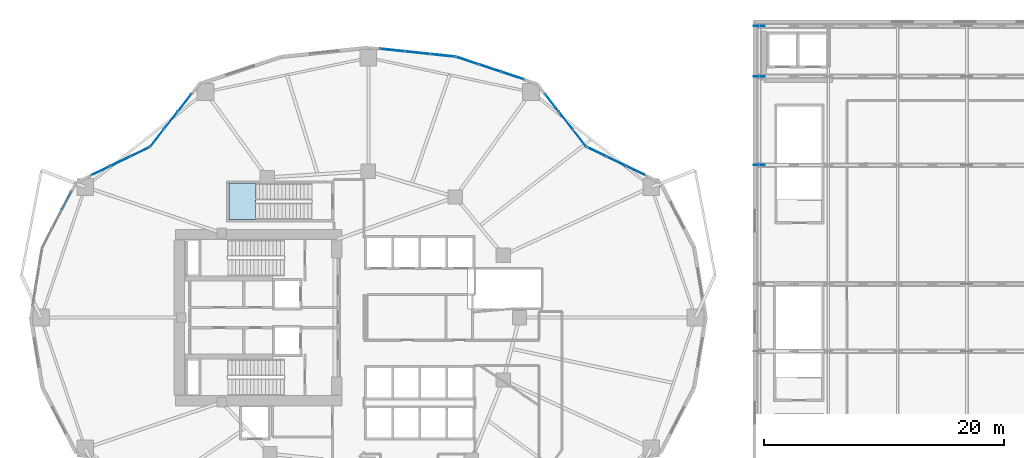
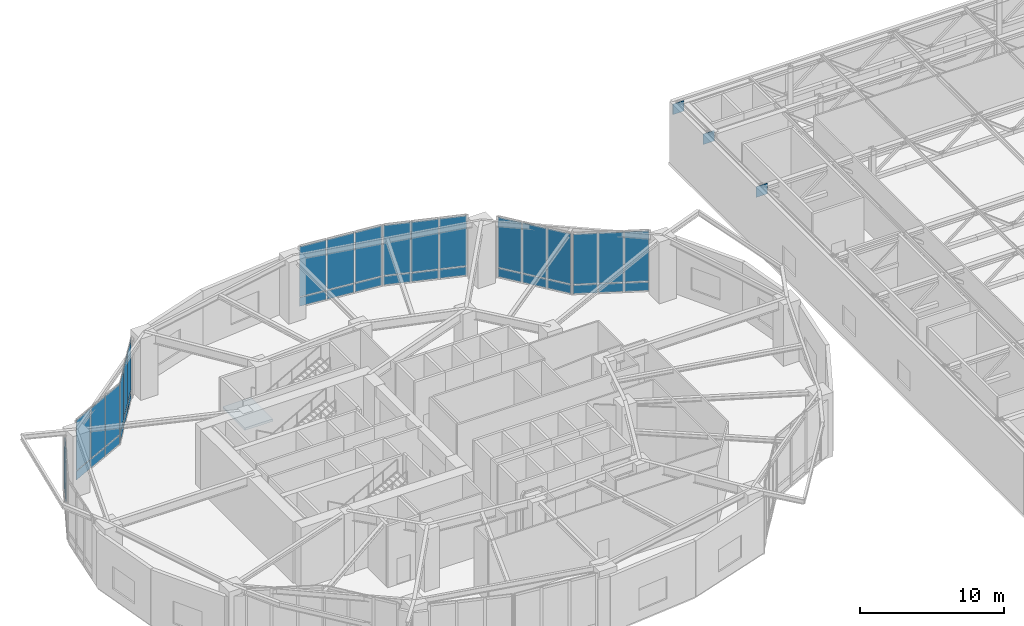
# One storey, part 15 of 29: 40 plates, 1 slab, 8 elements without a shape of their own.
"""IFC4 building model written with IfcOpenShell, lengths in metres."""

from ifc_helpers import new_model, si_unit, direction, frame, origin, origin_2d, place, context, subcontext, project, spatial, polyline, rectangle, outline, extrude, material, layer, layer_set, type_object, element, aggregate, save


model = new_model("IFC4")

# Units and contexts
model_context = context("Model", 3, precision=1e-05, world=origin(), true_north=direction((0.0, 1.0)))
body_context = subcontext(model_context, "Body", "Model", "MODEL_VIEW")
ifc_project = project(units=[si_unit("LENGTHUNIT", "METRE"), si_unit("AREAUNIT", "SQUARE_METRE"), si_unit("VOLUMEUNIT", "CUBIC_METRE"), si_unit("PLANEANGLEUNIT", "RADIAN"), si_unit("MASSUNIT", "GRAM", prefix="KILO")], contexts=[model_context])

# Site, building, storey
site_placement = place(None, origin())
site = spatial("IfcSite", under=ifc_project, at=site_placement, CompositionType="ELEMENT")
building_placement = place(site_placement, origin())
building = spatial("IfcBuilding", under=site, at=building_placement, Name="Kolvaren Gate Tower and Convention Centre", CompositionType="ELEMENT")
storey_placement = place(building_placement, frame((0.0, 0.0, 21.0)))
storey = spatial("IfcBuildingStorey", under=building, at=storey_placement, Name="L04", CompositionType="ELEMENT", Elevation=21.0)

# Curtain wall, plates
ifc_material_1 = material(Name="Anodized Architectural Aluminium Alloy 6063-T6", Category="aluminium")
ifc_layer_1 = layer(ifc_material_1, 0.179931640625)
ifc_layer_set_1 = layer_set([ifc_layer_1], Name="Anodized Architectural Aluminium Alloy 6063-T6")
curtain_wall_type = type_object("IfcCurtainWallType", Name="CW-POD-GLZ", PredefinedType="NOTDEFINED", material=ifc_layer_set_1)
curtain_wall_1_placement = place(storey_placement, origin())
curtain_wall_1 = element("IfcCurtainWall", 1, at=curtain_wall_1_placement, inside=storey, type_object=curtain_wall_type, Name="Tower L04 Unitised Curtain Wall CW-POD-GLZ Bay 02", PredefinedType="NOTDEFINED")
ifc_material_2 = material(Name="Low-E Triple Insulated Glazing Unit 44 mm", Category="glass")
ifc_layer_2 = layer(ifc_material_2, 0.0439453125)
ifc_layer_set_2 = layer_set([ifc_layer_2], Name="Low-E Triple Insulated Glazing Unit 44 mm")
plate_type_1 = type_object("IfcPlateType", Name="CW-PL-IGU-44", PredefinedType="CURTAIN_PANEL", material=ifc_layer_set_2)
plate_1_placement = place(storey_placement, frame((49.15234375, 40.810546875, 0.8876953125), z_axis=(0.0, 0.0, 1.0), x_axis=(0.90136380435, -0.433062688542, 0.0)))
plate_1 = element("IfcPlate", 2, at=plate_1_placement, type_object=plate_type_1, Name="CW-01 panel 1.2", PredefinedType="CURTAIN_PANEL", context=body_context, shape_type="SweptSolid", body=[
    extrude(rectangle(XDim=1.70751953125, YDim=0.0439453125, at=origin_2d()), origin(), (0.0, 0.0, 1.0), 4.257568359375),
])
plate_2_placement = place(storey_placement, frame((50.77587890625, 40.030517578125, 0.8876953125), z_axis=(0.0, 0.0, 1.0), x_axis=(0.90136380435, -0.433062688542, 0.0)))
plate_2 = element("IfcPlate", 3, at=plate_2_placement, type_object=plate_type_1, Name="CW-01 panel 2.2", PredefinedType="CURTAIN_PANEL", context=body_context, shape_type="SweptSolid", body=[
    extrude(rectangle(XDim=1.744873046875, YDim=0.0439453125, at=origin_2d()), origin(), (0.0, 0.0, 1.0), 4.257568359375),
])
plate_3_placement = place(storey_placement, frame((52.399658203125, 39.25048828125, 0.8876953125), z_axis=(0.0, 0.0, 1.0), x_axis=(0.90136380435, -0.433062688542, 0.0)))
plate_3 = element("IfcPlate", 4, at=plate_3_placement, type_object=plate_type_1, Name="CW-01 panel 3.2", PredefinedType="CURTAIN_PANEL", context=body_context, shape_type="SweptSolid", body=[
    extrude(rectangle(XDim=1.70751953125, YDim=0.0439453125, at=origin_2d()), origin(), (0.0, 0.0, 1.0), 4.257568359375),
])

curtain_wall_2_placement = place(storey_placement, origin())
curtain_wall_2 = element("IfcCurtainWall", 5, at=curtain_wall_2_placement, inside=storey, type_object=curtain_wall_type, Name="Tower L04 Unitised Curtain Wall CW-POD-GLZ Bay 03", PredefinedType="NOTDEFINED")
plate_4_placement = place(storey_placement, frame((45.439697265625, 44.885986328125, 0.8876953125), z_axis=(0.0, 0.0, 1.0), x_axis=(0.616425794643, -0.787413004527, 0.0)))
plate_4 = element("IfcPlate", 6, at=plate_4_placement, type_object=plate_type_1, Name="CW-01 panel 1.2", PredefinedType="CURTAIN_PANEL", context=body_context, shape_type="SweptSolid", body=[
    extrude(rectangle(XDim=1.760986328125, YDim=0.0439453125, at=origin_2d()), origin(), (0.0, 0.0, 1.0), 4.257568359375),
])
plate_5_placement = place(storey_placement, frame((46.5830078125, 43.425537109375, 0.8876953125), z_axis=(0.0, 0.0, 1.0), x_axis=(0.616425794643, -0.787413004527, 0.0)))
plate_5 = element("IfcPlate", 7, at=plate_5_placement, type_object=plate_type_1, Name="CW-01 panel 2.2", PredefinedType="CURTAIN_PANEL", context=body_context, shape_type="SweptSolid", body=[
    extrude(rectangle(XDim=1.79833984375, YDim=0.0439453125, at=origin_2d()), origin(), (0.0, 0.0, 1.0), 4.257568359375),
])
plate_6_placement = place(storey_placement, frame((47.726318359375, 41.965087890625, 0.8876953125), z_axis=(0.0, 0.0, 1.0), x_axis=(0.616425794643, -0.787413004527, 0.0)))
plate_6 = element("IfcPlate", 8, at=plate_6_placement, type_object=plate_type_1, Name="CW-01 panel 3.2", PredefinedType="CURTAIN_PANEL", context=body_context, shape_type="SweptSolid", body=[
    extrude(rectangle(XDim=1.760986328125, YDim=0.0439453125, at=origin_2d()), origin(), (0.0, 0.0, 1.0), 4.257568359375),
])

curtain_wall_3_placement = place(storey_placement, origin())
curtain_wall_3 = element("IfcCurtainWall", 9, at=curtain_wall_3_placement, inside=storey, type_object=curtain_wall_type, Name="Tower L04 Unitised Curtain Wall CW-POD-GLZ Bay 04", PredefinedType="NOTDEFINED")
plate_7_placement = place(storey_placement, frame((38.37939453125, 48.41015625, 0.8876953125), z_axis=(0.0, 0.0, 1.0), x_axis=(0.949243688479, -0.314541602786, 0.0)))
plate_7 = element("IfcPlate", 10, at=plate_7_placement, type_object=plate_type_1, Name="CW-01 panel 1.2", PredefinedType="CURTAIN_PANEL", context=body_context, shape_type="SweptSolid", body=[
    extrude(rectangle(XDim=1.904541015625, YDim=0.0439453125, at=origin_2d()), origin(), (0.0, 0.0, 1.0), 4.257568359375),
])
plate_8_placement = place(storey_placement, frame((40.2763671875, 47.78173828125, 0.8876953125), z_axis=(0.0, 0.0, 1.0), x_axis=(0.949243688479, -0.314541602786, 0.0)))
plate_8 = element("IfcPlate", 11, at=plate_8_placement, type_object=plate_type_1, Name="CW-01 panel 2.2", PredefinedType="CURTAIN_PANEL", context=body_context, shape_type="SweptSolid", body=[
    extrude(rectangle(XDim=1.94189453125, YDim=0.0439453125, at=origin_2d()), origin(), (0.0, 0.0, 1.0), 4.257568359375),
])
plate_9_placement = place(storey_placement, frame((42.173095703125, 47.153076171875, 0.8876953125), z_axis=(0.0, 0.0, 1.0), x_axis=(0.949243688479, -0.314541602786, 0.0)))
plate_9 = element("IfcPlate", 12, at=plate_9_placement, type_object=plate_type_1, Name="CW-01 panel 3.2", PredefinedType="CURTAIN_PANEL", context=body_context, shape_type="SweptSolid", body=[
    extrude(rectangle(XDim=1.904541015625, YDim=0.0439453125, at=origin_2d()), origin(), (0.0, 0.0, 1.0), 4.257568359375),
])

curtain_wall_4_placement = place(storey_placement, origin())
curtain_wall_4 = element("IfcCurtainWall", 13, at=curtain_wall_4_placement, inside=storey, type_object=curtain_wall_type, Name="Tower L04 Unitised Curtain Wall CW-POD-GLZ Bay 05", PredefinedType="NOTDEFINED")
plate_10_placement = place(storey_placement, frame((32.126708984375, 49.2890625, 0.8876953125), z_axis=(0.0, 0.0, 1.0), x_axis=(0.994498762941, -0.104748319841, 0.0)))
plate_10 = element("IfcPlate", 14, at=plate_10_placement, type_object=plate_type_1, Name="CW-01 panel 1.2", PredefinedType="CURTAIN_PANEL", context=body_context, shape_type="SweptSolid", body=[
    extrude(rectangle(XDim=2.017578125, YDim=0.0439453125, at=origin_2d()), origin(), (0.0, 0.0, 1.0), 4.257568359375),
])
plate_11_placement = place(storey_placement, frame((34.2265625, 49.068115234375, 0.8876953125), z_axis=(0.0, 0.0, 1.0), x_axis=(0.994498762941, -0.104748319841, 0.0)))
plate_11 = element("IfcPlate", 15, at=plate_11_placement, type_object=plate_type_1, Name="CW-01 panel 2.2", PredefinedType="CURTAIN_PANEL", context=body_context, shape_type="SweptSolid", body=[
    extrude(rectangle(XDim=2.05517578125, YDim=0.0439453125, at=origin_2d()), origin(), (0.0, 0.0, 1.0), 4.257568359375),
])
plate_12_placement = place(storey_placement, frame((36.326416015625, 48.846923828125, 0.8876953125), z_axis=(0.0, 0.0, 1.0), x_axis=(0.994498762941, -0.104748319841, 0.0)))
plate_12 = element("IfcPlate", 16, at=plate_12_placement, type_object=plate_type_1, Name="CW-01 panel 3.2", PredefinedType="CURTAIN_PANEL", context=body_context, shape_type="SweptSolid", body=[
    extrude(rectangle(XDim=2.017578125, YDim=0.0439453125, at=origin_2d()), origin(), (0.0, 0.0, 1.0), 4.257568359375),
])

curtain_wall_5_placement = place(storey_placement, origin())
curtain_wall_5 = element("IfcCurtainWall", 17, at=curtain_wall_5_placement, inside=storey, type_object=curtain_wall_type, Name="Tower L04 Unitised Curtain Wall CW-POD-GLZ Bay 08", PredefinedType="NOTDEFINED")
plate_13_placement = place(storey_placement, frame((12.523681640625, 41.965087890625, 0.8876953125), z_axis=(0.0, 0.0, 1.0), x_axis=(0.616421003276, 0.787416755422, 0.0)))
plate_13 = element("IfcPlate", 18, at=plate_13_placement, type_object=plate_type_1, Name="CW-01 panel 1.2", PredefinedType="CURTAIN_PANEL", context=body_context, shape_type="SweptSolid", body=[
    extrude(rectangle(XDim=1.7607421875, YDim=0.0439453125, at=origin_2d()), origin(), (0.0, 0.0, 1.0), 4.257568359375),
])
plate_14_placement = place(storey_placement, frame((13.666748046875, 43.425537109375, 0.8876953125), z_axis=(0.0, 0.0, 1.0), x_axis=(0.616421003276, 0.787416755422, 0.0)))
plate_14 = element("IfcPlate", 19, at=plate_14_placement, type_object=plate_type_1, Name="CW-01 panel 2.2", PredefinedType="CURTAIN_PANEL", context=body_context, shape_type="SweptSolid", body=[
    extrude(rectangle(XDim=1.79833984375, YDim=0.0439453125, at=origin_2d()), origin(), (0.0, 0.0, 1.0), 4.257568359375),
])
plate_15_placement = place(storey_placement, frame((14.81005859375, 44.8857421875, 0.8876953125), z_axis=(0.0, 0.0, 1.0), x_axis=(0.616421003276, 0.787416755422, 0.0)))
plate_15 = element("IfcPlate", 20, at=plate_15_placement, type_object=plate_type_1, Name="CW-01 panel 3.2", PredefinedType="CURTAIN_PANEL", context=body_context, shape_type="SweptSolid", body=[
    extrude(rectangle(XDim=1.7607421875, YDim=0.0439453125, at=origin_2d()), origin(), (0.0, 0.0, 1.0), 4.257568359375),
])

curtain_wall_6_placement = place(storey_placement, origin())
curtain_wall_6 = element("IfcCurtainWall", 21, at=curtain_wall_6_placement, inside=storey, type_object=curtain_wall_type, Name="Tower L04 Unitised Curtain Wall CW-POD-GLZ Bay 09", PredefinedType="NOTDEFINED")
plate_16_placement = place(storey_placement, frame((7.85009765625, 39.250244140625, 0.8876953125), z_axis=(0.0, 0.0, 1.0), x_axis=(0.901366679942, 0.433056703319, 0.0)))
plate_16 = element("IfcPlate", 22, at=plate_16_placement, type_object=plate_type_1, Name="CW-01 panel 1.2", PredefinedType="CURTAIN_PANEL", context=body_context, shape_type="SweptSolid", body=[
    extrude(rectangle(XDim=1.707763671875, YDim=0.0439453125, at=origin_2d()), origin(), (0.0, 0.0, 1.0), 4.257568359375),
])
plate_17_placement = place(storey_placement, frame((9.4736328125, 40.030517578125, 0.8876953125), z_axis=(0.0, 0.0, 1.0), x_axis=(0.901366679942, 0.433056703319, 0.0)))
plate_17 = element("IfcPlate", 23, at=plate_17_placement, type_object=plate_type_1, Name="CW-01 panel 2.2", PredefinedType="CURTAIN_PANEL", context=body_context, shape_type="SweptSolid", body=[
    extrude(rectangle(XDim=1.7451171875, YDim=0.0439453125, at=origin_2d()), origin(), (0.0, 0.0, 1.0), 4.257568359375),
])
plate_18_placement = place(storey_placement, frame((11.097412109375, 40.810546875, 0.8876953125), z_axis=(0.0, 0.0, 1.0), x_axis=(0.901366679942, 0.433056703319, 0.0)))
plate_18 = element("IfcPlate", 24, at=plate_18_placement, type_object=plate_type_1, Name="CW-01 panel 3.2", PredefinedType="CURTAIN_PANEL", context=body_context, shape_type="SweptSolid", body=[
    extrude(rectangle(XDim=1.707763671875, YDim=0.0439453125, at=origin_2d()), origin(), (0.0, 0.0, 1.0), 4.257568359375),
])

# Curtain wall, plate
curtain_wall_7_placement = place(storey_placement, origin())
curtain_wall_7 = element("IfcCurtainWall", 25, at=curtain_wall_7_placement, inside=storey, type_object=curtain_wall_type, Name="Tower L04 Unitised Curtain Wall CW-POD-GLZ Bay 10", PredefinedType="NOTDEFINED")
plate_19_placement = place(storey_placement, frame((4.98388671875, 36.735595703125, 0.8876953125), z_axis=(0.0, 0.0, 1.0), x_axis=(0.459789264949, 0.888028058024, 0.0)))
plate_19 = element("IfcPlate", 26, at=plate_19_placement, type_object=plate_type_1, Name="CW-01 panel 3.2", PredefinedType="CURTAIN_PANEL", context=body_context, shape_type="SweptSolid", body=[
    extrude(rectangle(XDim=1.6572265625, YDim=0.0439453125, at=origin_2d()), origin(), (0.0, 0.0, 1.0), 4.257568359375),
])
aggregate(curtain_wall_7, [plate_19])

# Plate
ifc_material_3 = material(Name="Solar-Control Laminated Curtain Glazing 36 mm", Category="glass")
ifc_layer_3 = layer(ifc_material_3, 0.035888671875)
ifc_layer_set_3 = layer_set([ifc_layer_3], Name="Solar-Control Laminated Curtain Glazing 36 mm")
plate_type_2 = type_object("IfcPlateType", Name="CW-PL-SPAN-36", PredefinedType="CURTAIN_PANEL", material=ifc_layer_set_3)
plate_20_placement = place(storey_placement, frame((49.15234375, 40.810546875, 0.0751953125), z_axis=(0.0, 0.0, 1.0), x_axis=(0.90136380435, -0.433062688542, 0.0)))
plate_20 = element("IfcPlate", 27, at=plate_20_placement, type_object=plate_type_2, Name="CW-01 panel 1.1", PredefinedType="CURTAIN_PANEL", context=body_context, shape_type="SweptSolid", body=[
    extrude(rectangle(XDim=1.70751953125, YDim=0.035888671875, at=origin_2d()), origin(), (0.0, 0.0, 1.0), 0.737548828125),
])

plate_21_placement = place(storey_placement, frame((50.77587890625, 40.030517578125, 0.0751953125), z_axis=(0.0, 0.0, 1.0), x_axis=(0.90136380435, -0.433062688542, 0.0)))
plate_21 = element("IfcPlate", 28, at=plate_21_placement, type_object=plate_type_2, Name="CW-01 panel 2.1", PredefinedType="CURTAIN_PANEL", context=body_context, shape_type="SweptSolid", body=[
    extrude(rectangle(XDim=1.744873046875, YDim=0.035888671875, at=origin_2d()), origin(), (0.0, 0.0, 1.0), 0.737548828125),
])

plate_22_placement = place(storey_placement, frame((52.399658203125, 39.25048828125, 0.0751953125), z_axis=(0.0, 0.0, 1.0), x_axis=(0.90136380435, -0.433062688542, 0.0)))
plate_22 = element("IfcPlate", 29, at=plate_22_placement, type_object=plate_type_2, Name="CW-01 panel 3.1", PredefinedType="CURTAIN_PANEL", context=body_context, shape_type="SweptSolid", body=[
    extrude(rectangle(XDim=1.70751953125, YDim=0.035888671875, at=origin_2d()), origin(), (0.0, 0.0, 1.0), 0.737548828125),
])

aggregate(curtain_wall_1, [plate_20, plate_1, plate_21, plate_2, plate_22, plate_3])

plate_23_placement = place(storey_placement, frame((45.439697265625, 44.885986328125, 0.0751953125), z_axis=(0.0, 0.0, 1.0), x_axis=(0.616425794643, -0.787413004527, 0.0)))
plate_23 = element("IfcPlate", 30, at=plate_23_placement, type_object=plate_type_2, Name="CW-01 panel 1.1", PredefinedType="CURTAIN_PANEL", context=body_context, shape_type="SweptSolid", body=[
    extrude(rectangle(XDim=1.760986328125, YDim=0.035888671875, at=origin_2d()), origin(), (0.0, 0.0, 1.0), 0.737548828125),
])

plate_24_placement = place(storey_placement, frame((46.5830078125, 43.425537109375, 0.0751953125), z_axis=(0.0, 0.0, 1.0), x_axis=(0.616425794643, -0.787413004527, 0.0)))
plate_24 = element("IfcPlate", 31, at=plate_24_placement, type_object=plate_type_2, Name="CW-01 panel 2.1", PredefinedType="CURTAIN_PANEL", context=body_context, shape_type="SweptSolid", body=[
    extrude(rectangle(XDim=1.79833984375, YDim=0.035888671875, at=origin_2d()), origin(), (0.0, 0.0, 1.0), 0.737548828125),
])

plate_25_placement = place(storey_placement, frame((47.726318359375, 41.965087890625, 0.0751953125), z_axis=(0.0, 0.0, 1.0), x_axis=(0.616425794643, -0.787413004527, 0.0)))
plate_25 = element("IfcPlate", 32, at=plate_25_placement, type_object=plate_type_2, Name="CW-01 panel 3.1", PredefinedType="CURTAIN_PANEL", context=body_context, shape_type="SweptSolid", body=[
    extrude(rectangle(XDim=1.760986328125, YDim=0.035888671875, at=origin_2d()), origin(), (0.0, 0.0, 1.0), 0.737548828125),
])

aggregate(curtain_wall_2, [plate_23, plate_4, plate_24, plate_5, plate_25, plate_6])

plate_26_placement = place(storey_placement, frame((38.37939453125, 48.41015625, 0.0751953125), z_axis=(0.0, 0.0, 1.0), x_axis=(0.949243688479, -0.314541602786, 0.0)))
plate_26 = element("IfcPlate", 33, at=plate_26_placement, type_object=plate_type_2, Name="CW-01 panel 1.1", PredefinedType="CURTAIN_PANEL", context=body_context, shape_type="SweptSolid", body=[
    extrude(rectangle(XDim=1.904541015625, YDim=0.035888671875, at=origin_2d()), origin(), (0.0, 0.0, 1.0), 0.737548828125),
])

plate_27_placement = place(storey_placement, frame((40.2763671875, 47.78173828125, 0.0751953125), z_axis=(0.0, 0.0, 1.0), x_axis=(0.949243688479, -0.314541602786, 0.0)))
plate_27 = element("IfcPlate", 34, at=plate_27_placement, type_object=plate_type_2, Name="CW-01 panel 2.1", PredefinedType="CURTAIN_PANEL", context=body_context, shape_type="SweptSolid", body=[
    extrude(rectangle(XDim=1.94189453125, YDim=0.035888671875, at=origin_2d()), origin(), (0.0, 0.0, 1.0), 0.737548828125),
])

plate_28_placement = place(storey_placement, frame((42.173095703125, 47.153076171875, 0.0751953125), z_axis=(0.0, 0.0, 1.0), x_axis=(0.949243688479, -0.314541602786, 0.0)))
plate_28 = element("IfcPlate", 35, at=plate_28_placement, type_object=plate_type_2, Name="CW-01 panel 3.1", PredefinedType="CURTAIN_PANEL", context=body_context, shape_type="SweptSolid", body=[
    extrude(rectangle(XDim=1.904541015625, YDim=0.035888671875, at=origin_2d()), origin(), (0.0, 0.0, 1.0), 0.737548828125),
])

aggregate(curtain_wall_3, [plate_26, plate_7, plate_27, plate_8, plate_28, plate_9])

plate_29_placement = place(storey_placement, frame((32.126708984375, 49.2890625, 0.0751953125), z_axis=(0.0, 0.0, 1.0), x_axis=(0.994498762941, -0.104748319841, 0.0)))
plate_29 = element("IfcPlate", 36, at=plate_29_placement, type_object=plate_type_2, Name="CW-01 panel 1.1", PredefinedType="CURTAIN_PANEL", context=body_context, shape_type="SweptSolid", body=[
    extrude(rectangle(XDim=2.017578125, YDim=0.035888671875, at=origin_2d()), origin(), (0.0, 0.0, 1.0), 0.737548828125),
])

plate_30_placement = place(storey_placement, frame((34.2265625, 49.068115234375, 0.0751953125), z_axis=(0.0, 0.0, 1.0), x_axis=(0.994498762941, -0.104748319841, 0.0)))
plate_30 = element("IfcPlate", 37, at=plate_30_placement, type_object=plate_type_2, Name="CW-01 panel 2.1", PredefinedType="CURTAIN_PANEL", context=body_context, shape_type="SweptSolid", body=[
    extrude(rectangle(XDim=2.05517578125, YDim=0.035888671875, at=origin_2d()), origin(), (0.0, 0.0, 1.0), 0.737548828125),
])

plate_31_placement = place(storey_placement, frame((36.326416015625, 48.846923828125, 0.0751953125), z_axis=(0.0, 0.0, 1.0), x_axis=(0.994498762941, -0.104748319841, 0.0)))
plate_31 = element("IfcPlate", 38, at=plate_31_placement, type_object=plate_type_2, Name="CW-01 panel 3.1", PredefinedType="CURTAIN_PANEL", context=body_context, shape_type="SweptSolid", body=[
    extrude(rectangle(XDim=2.017578125, YDim=0.035888671875, at=origin_2d()), origin(), (0.0, 0.0, 1.0), 0.737548828125),
])

aggregate(curtain_wall_4, [plate_29, plate_10, plate_30, plate_11, plate_31, plate_12])

plate_32_placement = place(storey_placement, frame((12.523681640625, 41.965087890625, 0.0751953125), z_axis=(0.0, 0.0, 1.0), x_axis=(0.616421003276, 0.787416755422, 0.0)))
plate_32 = element("IfcPlate", 39, at=plate_32_placement, type_object=plate_type_2, Name="CW-01 panel 1.1", PredefinedType="CURTAIN_PANEL", context=body_context, shape_type="SweptSolid", body=[
    extrude(rectangle(XDim=1.7607421875, YDim=0.035888671875, at=origin_2d()), origin(), (0.0, 0.0, 1.0), 0.737548828125),
])

plate_33_placement = place(storey_placement, frame((13.666748046875, 43.425537109375, 0.0751953125), z_axis=(0.0, 0.0, 1.0), x_axis=(0.616421003276, 0.787416755422, 0.0)))
plate_33 = element("IfcPlate", 40, at=plate_33_placement, type_object=plate_type_2, Name="CW-01 panel 2.1", PredefinedType="CURTAIN_PANEL", context=body_context, shape_type="SweptSolid", body=[
    extrude(rectangle(XDim=1.79833984375, YDim=0.035888671875, at=origin_2d()), origin(), (0.0, 0.0, 1.0), 0.737548828125),
])

plate_34_placement = place(storey_placement, frame((14.81005859375, 44.8857421875, 0.0751953125), z_axis=(0.0, 0.0, 1.0), x_axis=(0.616421003276, 0.787416755422, 0.0)))
plate_34 = element("IfcPlate", 41, at=plate_34_placement, type_object=plate_type_2, Name="CW-01 panel 3.1", PredefinedType="CURTAIN_PANEL", context=body_context, shape_type="SweptSolid", body=[
    extrude(rectangle(XDim=1.7607421875, YDim=0.035888671875, at=origin_2d()), origin(), (0.0, 0.0, 1.0), 0.737548828125),
])

aggregate(curtain_wall_5, [plate_32, plate_13, plate_33, plate_14, plate_34, plate_15])

plate_35_placement = place(storey_placement, frame((7.85009765625, 39.250244140625, 0.0751953125), z_axis=(0.0, 0.0, 1.0), x_axis=(0.901366679942, 0.433056703319, 0.0)))
plate_35 = element("IfcPlate", 42, at=plate_35_placement, type_object=plate_type_2, Name="CW-01 panel 1.1", PredefinedType="CURTAIN_PANEL", context=body_context, shape_type="SweptSolid", body=[
    extrude(rectangle(XDim=1.707763671875, YDim=0.035888671875, at=origin_2d()), origin(), (0.0, 0.0, 1.0), 0.737548828125),
])

plate_36_placement = place(storey_placement, frame((9.4736328125, 40.030517578125, 0.0751953125), z_axis=(0.0, 0.0, 1.0), x_axis=(0.901366679942, 0.433056703319, 0.0)))
plate_36 = element("IfcPlate", 43, at=plate_36_placement, type_object=plate_type_2, Name="CW-01 panel 2.1", PredefinedType="CURTAIN_PANEL", context=body_context, shape_type="SweptSolid", body=[
    extrude(rectangle(XDim=1.7451171875, YDim=0.035888671875, at=origin_2d()), origin(), (0.0, 0.0, 1.0), 0.737548828125),
])

plate_37_placement = place(storey_placement, frame((11.097412109375, 40.810546875, 0.0751953125), z_axis=(0.0, 0.0, 1.0), x_axis=(0.901366679942, 0.433056703319, 0.0)))
plate_37 = element("IfcPlate", 44, at=plate_37_placement, type_object=plate_type_2, Name="CW-01 panel 3.1", PredefinedType="CURTAIN_PANEL", context=body_context, shape_type="SweptSolid", body=[
    extrude(rectangle(XDim=1.707763671875, YDim=0.035888671875, at=origin_2d()), origin(), (0.0, 0.0, 1.0), 0.737548828125),
])

aggregate(curtain_wall_6, [plate_35, plate_16, plate_36, plate_17, plate_37, plate_18])

# Plates
ifc_material_4 = material(Name="Structural steel plate ASTM A572 Grade 345 MPa", Category="steel")
ifc_layer_4 = layer(ifc_material_4, 0.035888671875)
ifc_layer_set_4 = layer_set([ifc_layer_4], Name="Structural steel plate ASTM A572 Grade 345 MPa")
plate_type_3 = type_object("IfcPlateType", Name="STR-PL-GUSSET-36", PredefinedType="USERDEFINED", material=ifc_layer_set_4)
for number, where, z_axis, x_axis, name in (
    (45, (62.699951171875, 39.699951171875, 4.31005859375), (0.0, 0.0, 1.0), (1.0, 0.0, 0.0), "Roof Truss Concentric Node Gusset Plate GP-TR06-1"),
    (46, (62.699951171875, 47.10009765625, 4.31005859375), (0.0, 0.0, 1.0), (1.0, 0.0, 0.0), "Roof Truss Concentric Node Gusset Plate GP-TR07-1"),
    (47, (62.699951171875, 51.300048828125, 4.31005859375), (0.0, 0.0, 1.0), (1.0, 0.0, 0.0), "Roof Truss Concentric Node Gusset Plate GP-TR08-1"),
):
    element("IfcPlate", number, at=place(storey_placement, frame(where, z_axis=z_axis, x_axis=x_axis)), inside=storey, type_object=plate_type_3, Name=name, ObjectType="GUSSET PLATE", PredefinedType="USERDEFINED", context=body_context, shape_type="SweptSolid", body=[
        extrude(rectangle(XDim=0.89990234375, YDim=0.035888671875, at=origin_2d()), origin(), (0.0, 0.0, 1.0), 0.89990234375),
    ])

# Stair, slab
ifc_material_5 = material(Name="Concrete C50/60", Category="concrete")
stair_type = type_object("IfcStairType", Name="STR-STAIR-CORE", PredefinedType="HALF_TURN_STAIR", material=ifc_material_5)
stair_placement = place(storey_placement, origin())
stair = element("IfcStair", 48, at=stair_placement, inside=storey, type_object=stair_type, Name="L04 Tower Mid-Zone Exit Stair ST-T3", PredefinedType="HALF_TURN_STAIR")
ifc_layer_5 = layer(ifc_material_5, 0.199951171875)
ifc_layer_set_5 = layer_set([ifc_layer_5], Name="Concrete C50/60")
slab_type = type_object("IfcSlabType", Name="STR-SL-LAND-200", PredefinedType="LANDING", material=ifc_layer_set_5)
slab_placement = place(storey_placement, frame((0.0, 0.0, 2.550048828125)))
slab = element("IfcSlab", 49, at=slab_placement, type_object=slab_type, Name="ST-T3 landing 1", PredefinedType="LANDING", context=body_context, shape_type="SweptSolid", body=[
    extrude(outline(polyline([(20.75, 38.199951171875), (18.5, 38.199951171875), (18.5, 35.159912109375), (20.75, 35.159912109375), (20.75, 38.199951171875)])), origin(), (0.0, 0.0, 1.0), 0.199951171875),
])
aggregate(stair, [slab])

save(model, "model.ifc")
